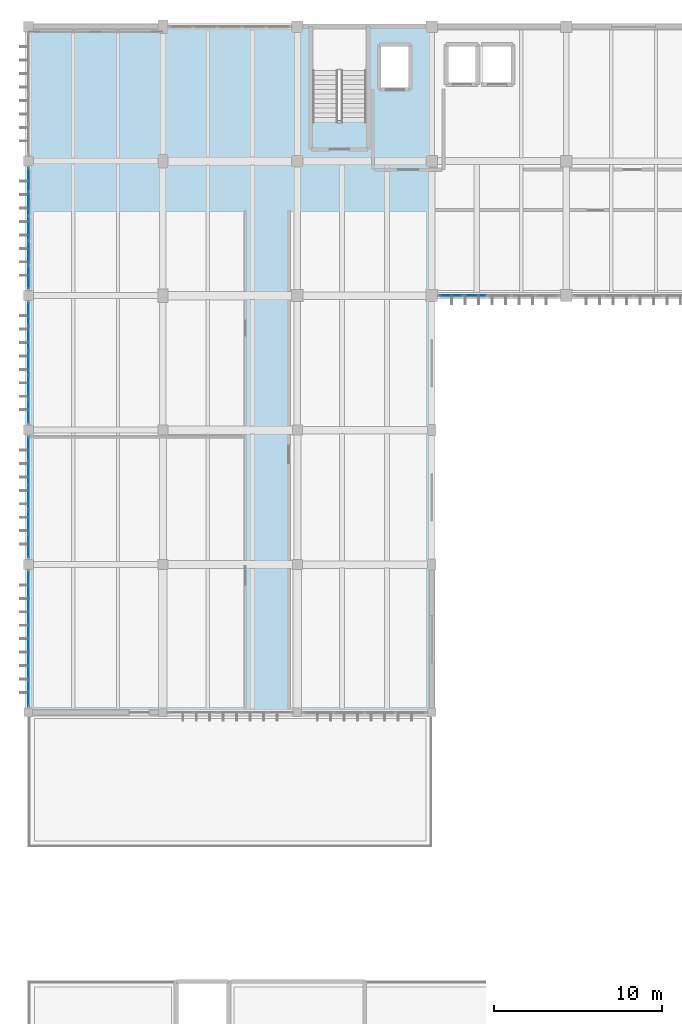
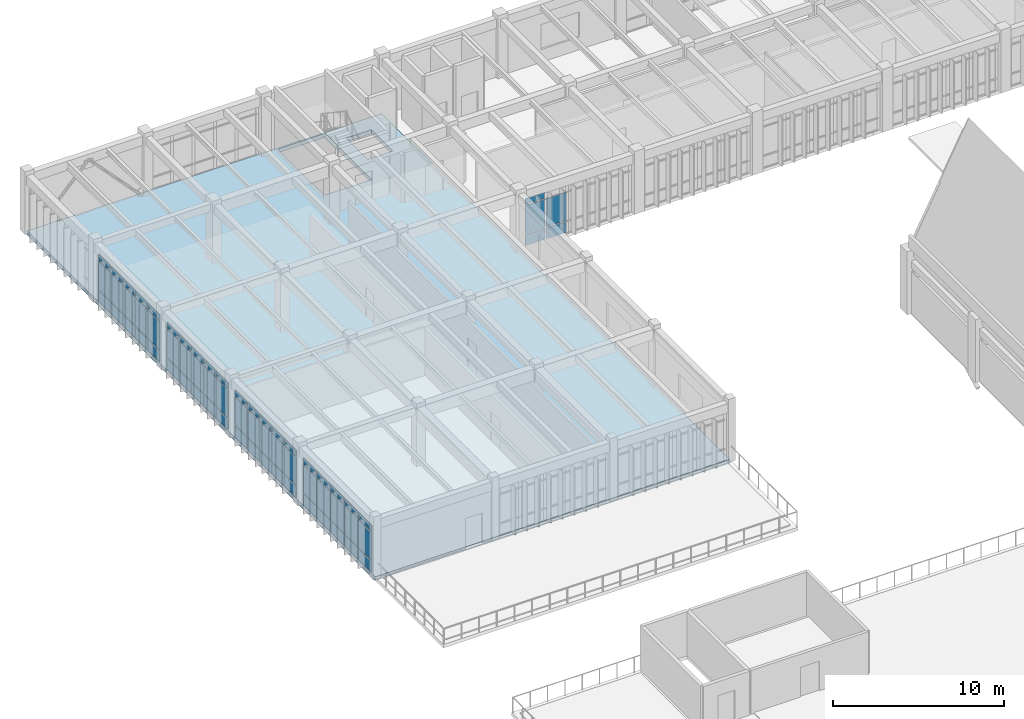
# One storey, part 33 of 72: 65 plates, 1 slab, 5 elements without a shape of their own.
"""IFC4 building model written with IfcOpenShell, lengths in metres."""

from ifc_helpers import new_model, si_unit, direction, frame, origin, origin_2d, place, context, subcontext, project, spatial, polyline, rectangle, outline, extrude, material, layer, layer_set, type_object, element, aggregate, save


model = new_model("IFC4")

# Units and contexts
model_context = context("Model", 3, precision=1e-05, world=origin(), true_north=direction((0.0, 1.0)))
body_context = subcontext(model_context, "Body", "Model", "MODEL_VIEW")
ifc_project = project(units=[si_unit("LENGTHUNIT", "METRE"), si_unit("AREAUNIT", "SQUARE_METRE"), si_unit("VOLUMEUNIT", "CUBIC_METRE"), si_unit("PLANEANGLEUNIT", "RADIAN"), si_unit("MASSUNIT", "GRAM", prefix="KILO")], contexts=[model_context])

# Site, building, storey
site_placement = place(None, origin())
site = spatial("IfcSite", under=ifc_project, at=site_placement, CompositionType="ELEMENT")
building_placement = place(site_placement, origin())
building = spatial("IfcBuilding", under=site, at=building_placement, Name="Tlaxcora Railside Police Headquarters", CompositionType="ELEMENT")
storey_placement = place(building_placement, frame((0.0, 0.0, 13.5)))
storey = spatial("IfcBuildingStorey", under=building, at=storey_placement, Name="L03", CompositionType="ELEMENT", Elevation=13.5)

# Curtain wall, plates
ifc_material_1 = material(Name="Thermally broken low-E insulated glazing", Category="glass")
curtain_wall_type_1 = type_object("IfcCurtainWallType", Name="Unitised Curtain Wall Assembly CW-23", PredefinedType="NOTDEFINED", material=ifc_material_1)
curtain_wall_1_placement = place(storey_placement, origin())
curtain_wall_1 = element("IfcCurtainWall", 1, at=curtain_wall_1_placement, inside=storey, type_object=curtain_wall_type_1, Name="V5 L03 curtain wall 72", PredefinedType="NOTDEFINED")
ifc_layer_1 = layer(ifc_material_1, 0.0400390625, Name="Thermally broken low-E insulated glazing")
ifc_layer_set_1 = layer_set([ifc_layer_1], Name="Thermally broken low-E insulated glazing")
plate_type_1 = type_object("IfcPlateType", Name="Curtain Wall Infill Panel CW-17", PredefinedType="CURTAIN_PANEL", material=ifc_layer_set_1)
plate_1_placement = place(storey_placement, frame((30.340087890625, 76.800048828125, 0.080078125), z_axis=(0.0, 0.0, 1.0), x_axis=(1.0, 0.0, 0.0)))
plate_1 = element("IfcPlate", 2, at=plate_1_placement, type_object=plate_type_1, Name="CW panel 1.1", PredefinedType="CURTAIN_PANEL", context=body_context, shape_type="SweptSolid", body=[
    extrude(rectangle(XDim=1.320068359375, YDim=0.0400390625, at=origin_2d()), origin(), (0.0, 0.0, 1.0), 0.780029296875),
])
plate_2_placement = place(storey_placement, frame((30.340087890625, 76.800048828125, 0.93994140625), z_axis=(0.0, 0.0, 1.0), x_axis=(1.0, 0.0, 0.0)))
plate_2 = element("IfcPlate", 3, at=plate_2_placement, type_object=plate_type_1, Name="CW panel 1.2", PredefinedType="CURTAIN_PANEL", context=body_context, shape_type="SweptSolid", body=[
    extrude(rectangle(XDim=1.320068359375, YDim=0.0400390625, at=origin_2d()), origin(), (0.0, 0.0, 1.0), 2.010009765625),
])
plate_3_placement = place(storey_placement, frame((30.340087890625, 76.800048828125, 3.0302734375), z_axis=(0.0, 0.0, 1.0), x_axis=(1.0, 0.0, 0.0)))
plate_3 = element("IfcPlate", 4, at=plate_3_placement, type_object=plate_type_1, Name="CW panel 1.3", PredefinedType="CURTAIN_PANEL", context=body_context, shape_type="SweptSolid", body=[
    extrude(rectangle(XDim=1.320068359375, YDim=0.0400390625, at=origin_2d()), origin(), (0.0, 0.0, 1.0), 0.409912109375),
])
plate_4_placement = place(storey_placement, frame((31.760009765625, 76.800048828125, 0.080078125), z_axis=(0.0, 0.0, 1.0), x_axis=(1.0, 0.0, 0.0)))
plate_4 = element("IfcPlate", 5, at=plate_4_placement, type_object=plate_type_1, Name="CW panel 2.1", PredefinedType="CURTAIN_PANEL", context=body_context, shape_type="SweptSolid", body=[
    extrude(rectangle(XDim=1.360107421875, YDim=0.0400390625, at=origin_2d()), origin(), (0.0, 0.0, 1.0), 0.780029296875),
])
plate_5_placement = place(storey_placement, frame((31.760009765625, 76.800048828125, 0.93994140625), z_axis=(0.0, 0.0, 1.0), x_axis=(1.0, 0.0, 0.0)))
plate_5 = element("IfcPlate", 6, at=plate_5_placement, type_object=plate_type_1, Name="CW panel 2.2", PredefinedType="CURTAIN_PANEL", context=body_context, shape_type="SweptSolid", body=[
    extrude(rectangle(XDim=1.360107421875, YDim=0.0400390625, at=origin_2d()), origin(), (0.0, 0.0, 1.0), 2.010009765625),
])
aggregate(curtain_wall_1, [plate_1, plate_2, plate_3, plate_4, plate_5])

curtain_wall_2_placement = place(storey_placement, origin())
curtain_wall_2 = element("IfcCurtainWall", 7, at=curtain_wall_2_placement, inside=storey, type_object=curtain_wall_type_1, Name="V5 L03 curtain wall 84", PredefinedType="NOTDEFINED")
plate_6_placement = place(storey_placement, frame((5.199951171875, 83.699951171875, 0.080078125), z_axis=(0.0, 0.0, 1.0), x_axis=(0.0, -1.0, 0.0)))
plate_6 = element("IfcPlate", 8, at=plate_6_placement, type_object=plate_type_1, Name="CW panel 1.1", PredefinedType="CURTAIN_PANEL", context=body_context, shape_type="SweptSolid", body=[
    extrude(rectangle(XDim=1.340087890625, YDim=0.0400390625, at=origin_2d()), origin(), (0.0, 0.0, 1.0), 0.780029296875),
])
plate_7_placement = place(storey_placement, frame((5.199951171875, 83.699951171875, 0.93994140625), z_axis=(0.0, 0.0, 1.0), x_axis=(0.0, -1.0, 0.0)))
plate_7 = element("IfcPlate", 9, at=plate_7_placement, type_object=plate_type_1, Name="CW panel 1.2", PredefinedType="CURTAIN_PANEL", context=body_context, shape_type="SweptSolid", body=[
    extrude(rectangle(XDim=1.340087890625, YDim=0.0400390625, at=origin_2d()), origin(), (0.0, 0.0, 1.0), 2.010009765625),
])
plate_8_placement = place(storey_placement, frame((5.199951171875, 83.699951171875, 3.0302734375), z_axis=(0.0, 0.0, 1.0), x_axis=(0.0, -1.0, 0.0)))
plate_8 = element("IfcPlate", 10, at=plate_8_placement, type_object=plate_type_1, Name="CW panel 1.3", PredefinedType="CURTAIN_PANEL", context=body_context, shape_type="SweptSolid", body=[
    extrude(rectangle(XDim=1.340087890625, YDim=0.0400390625, at=origin_2d()), origin(), (0.0, 0.0, 1.0), 0.409912109375),
])
plate_9_placement = place(storey_placement, frame((5.199951171875, 82.260009765625, 0.080078125), z_axis=(0.0, 0.0, 1.0), x_axis=(0.0, -1.0, 0.0)))
plate_9 = element("IfcPlate", 11, at=plate_9_placement, type_object=plate_type_1, Name="CW panel 2.1", PredefinedType="CURTAIN_PANEL", context=body_context, shape_type="SweptSolid", body=[
    extrude(rectangle(XDim=1.3798828125, YDim=0.0400390625, at=origin_2d()), origin(), (0.0, 0.0, 1.0), 0.780029296875),
])
plate_10_placement = place(storey_placement, frame((5.199951171875, 82.260009765625, 0.93994140625), z_axis=(0.0, 0.0, 1.0), x_axis=(0.0, -1.0, 0.0)))
plate_10 = element("IfcPlate", 12, at=plate_10_placement, type_object=plate_type_1, Name="CW panel 2.2", PredefinedType="CURTAIN_PANEL", context=body_context, shape_type="SweptSolid", body=[
    extrude(rectangle(XDim=1.3798828125, YDim=0.0400390625, at=origin_2d()), origin(), (0.0, 0.0, 1.0), 2.010009765625),
])
plate_11_placement = place(storey_placement, frame((5.199951171875, 82.260009765625, 3.0302734375), z_axis=(0.0, 0.0, 1.0), x_axis=(0.0, -1.0, 0.0)))
plate_11 = element("IfcPlate", 13, at=plate_11_placement, type_object=plate_type_1, Name="CW panel 2.3", PredefinedType="CURTAIN_PANEL", context=body_context, shape_type="SweptSolid", body=[
    extrude(rectangle(XDim=1.3798828125, YDim=0.0400390625, at=origin_2d()), origin(), (0.0, 0.0, 1.0), 0.409912109375),
])
plate_12_placement = place(storey_placement, frame((5.199951171875, 80.800048828125, 0.080078125), z_axis=(0.0, 0.0, 1.0), x_axis=(0.0, -1.0, 0.0)))
plate_12 = element("IfcPlate", 14, at=plate_12_placement, type_object=plate_type_1, Name="CW panel 3.1", PredefinedType="CURTAIN_PANEL", context=body_context, shape_type="SweptSolid", body=[
    extrude(rectangle(XDim=1.3798828125, YDim=0.0400390625, at=origin_2d()), origin(), (0.0, 0.0, 1.0), 0.780029296875),
])
plate_13_placement = place(storey_placement, frame((5.199951171875, 80.800048828125, 0.93994140625), z_axis=(0.0, 0.0, 1.0), x_axis=(0.0, -1.0, 0.0)))
plate_13 = element("IfcPlate", 15, at=plate_13_placement, type_object=plate_type_1, Name="CW panel 3.2", PredefinedType="CURTAIN_PANEL", context=body_context, shape_type="SweptSolid", body=[
    extrude(rectangle(XDim=1.3798828125, YDim=0.0400390625, at=origin_2d()), origin(), (0.0, 0.0, 1.0), 2.010009765625),
])
plate_14_placement = place(storey_placement, frame((5.199951171875, 80.800048828125, 3.0302734375), z_axis=(0.0, 0.0, 1.0), x_axis=(0.0, -1.0, 0.0)))
plate_14 = element("IfcPlate", 16, at=plate_14_placement, type_object=plate_type_1, Name="CW panel 3.3", PredefinedType="CURTAIN_PANEL", context=body_context, shape_type="SweptSolid", body=[
    extrude(rectangle(XDim=1.3798828125, YDim=0.0400390625, at=origin_2d()), origin(), (0.0, 0.0, 1.0), 0.409912109375),
])
plate_15_placement = place(storey_placement, frame((5.199951171875, 79.340087890625, 0.080078125), z_axis=(0.0, 0.0, 1.0), x_axis=(0.0, -1.0, 0.0)))
plate_15 = element("IfcPlate", 17, at=plate_15_placement, type_object=plate_type_1, Name="CW panel 4.1", PredefinedType="CURTAIN_PANEL", context=body_context, shape_type="SweptSolid", body=[
    extrude(rectangle(XDim=1.3798828125, YDim=0.0400390625, at=origin_2d()), origin(), (0.0, 0.0, 1.0), 0.780029296875),
])
plate_16_placement = place(storey_placement, frame((5.199951171875, 79.340087890625, 0.93994140625), z_axis=(0.0, 0.0, 1.0), x_axis=(0.0, -1.0, 0.0)))
plate_16 = element("IfcPlate", 18, at=plate_16_placement, type_object=plate_type_1, Name="CW panel 4.2", PredefinedType="CURTAIN_PANEL", context=body_context, shape_type="SweptSolid", body=[
    extrude(rectangle(XDim=1.3798828125, YDim=0.0400390625, at=origin_2d()), origin(), (0.0, 0.0, 1.0), 2.010009765625),
])
plate_17_placement = place(storey_placement, frame((5.199951171875, 79.340087890625, 3.0302734375), z_axis=(0.0, 0.0, 1.0), x_axis=(0.0, -1.0, 0.0)))
plate_17 = element("IfcPlate", 19, at=plate_17_placement, type_object=plate_type_1, Name="CW panel 4.3", PredefinedType="CURTAIN_PANEL", context=body_context, shape_type="SweptSolid", body=[
    extrude(rectangle(XDim=1.3798828125, YDim=0.0400390625, at=origin_2d()), origin(), (0.0, 0.0, 1.0), 0.409912109375),
])
plate_18_placement = place(storey_placement, frame((5.199951171875, 77.89990234375, 0.080078125), z_axis=(0.0, 0.0, 1.0), x_axis=(0.0, -1.0, 0.0)))
plate_18 = element("IfcPlate", 20, at=plate_18_placement, type_object=plate_type_1, Name="CW panel 5.1", PredefinedType="CURTAIN_PANEL", context=body_context, shape_type="SweptSolid", body=[
    extrude(rectangle(XDim=1.340087890625, YDim=0.0400390625, at=origin_2d()), origin(), (0.0, 0.0, 1.0), 0.780029296875),
])
plate_19_placement = place(storey_placement, frame((5.199951171875, 77.89990234375, 0.93994140625), z_axis=(0.0, 0.0, 1.0), x_axis=(0.0, -1.0, 0.0)))
plate_19 = element("IfcPlate", 21, at=plate_19_placement, type_object=plate_type_1, Name="CW panel 5.2", PredefinedType="CURTAIN_PANEL", context=body_context, shape_type="SweptSolid", body=[
    extrude(rectangle(XDim=1.340087890625, YDim=0.0400390625, at=origin_2d()), origin(), (0.0, 0.0, 1.0), 2.010009765625),
])
plate_20_placement = place(storey_placement, frame((5.199951171875, 77.89990234375, 3.0302734375), z_axis=(0.0, 0.0, 1.0), x_axis=(0.0, -1.0, 0.0)))
plate_20 = element("IfcPlate", 22, at=plate_20_placement, type_object=plate_type_1, Name="CW panel 5.3", PredefinedType="CURTAIN_PANEL", context=body_context, shape_type="SweptSolid", body=[
    extrude(rectangle(XDim=1.340087890625, YDim=0.0400390625, at=origin_2d()), origin(), (0.0, 0.0, 1.0), 0.409912109375),
])
aggregate(curtain_wall_2, [plate_6, plate_7, plate_8, plate_9, plate_10, plate_11, plate_12, plate_13, plate_14, plate_15, plate_16, plate_17, plate_18, plate_19, plate_20])

curtain_wall_type_2 = type_object("IfcCurtainWallType", Name="Unitised Curtain Wall Assembly CW-15", PredefinedType="NOTDEFINED", material=ifc_material_1)
curtain_wall_3_placement = place(storey_placement, origin())
curtain_wall_3 = element("IfcCurtainWall", 23, at=curtain_wall_3_placement, inside=storey, type_object=curtain_wall_type_2, Name="V5 L03 curtain wall 86", PredefinedType="NOTDEFINED")
ifc_layer_2 = layer(ifc_material_1, 0.031982421875, Name="Thermally broken low-E insulated glazing")
ifc_layer_set_2 = layer_set([ifc_layer_2], Name="Thermally broken low-E insulated glazing")
plate_type_2 = type_object("IfcPlateType", Name="Curtain Wall Infill Panel CW-41", PredefinedType="CURTAIN_PANEL", material=ifc_layer_set_2)
plate_21_placement = place(storey_placement, frame((5.199951171875, 67.701171875, 0.074951171875), z_axis=(0.0, 0.0, 1.0), x_axis=(0.0, -1.0, 0.0)))
plate_21 = element("IfcPlate", 24, at=plate_21_placement, type_object=plate_type_2, Name="CW panel 1.1", PredefinedType="CURTAIN_PANEL", context=body_context, shape_type="SweptSolid", body=[
    extrude(rectangle(XDim=1.347412109375, YDim=0.031982421875, at=origin_2d()), origin(), (0.0, 0.0, 1.0), 0.78759765625),
])
plate_22_placement = place(storey_placement, frame((5.199951171875, 67.701171875, 0.9375), z_axis=(0.0, 0.0, 1.0), x_axis=(0.0, -1.0, 0.0)))
plate_22 = element("IfcPlate", 25, at=plate_22_placement, type_object=plate_type_2, Name="CW panel 1.2", PredefinedType="CURTAIN_PANEL", context=body_context, shape_type="SweptSolid", body=[
    extrude(rectangle(XDim=1.347412109375, YDim=0.031982421875, at=origin_2d()), origin(), (0.0, 0.0, 1.0), 2.014892578125),
])
plate_23_placement = place(storey_placement, frame((5.199951171875, 67.701171875, 3.027587890625), z_axis=(0.0, 0.0, 1.0), x_axis=(0.0, -1.0, 0.0)))
plate_23 = element("IfcPlate", 26, at=plate_23_placement, type_object=plate_type_2, Name="CW panel 1.3", PredefinedType="CURTAIN_PANEL", context=body_context, shape_type="SweptSolid", body=[
    extrude(rectangle(XDim=1.347412109375, YDim=0.031982421875, at=origin_2d()), origin(), (0.0, 0.0, 1.0), 0.41748046875),
])
plate_24_placement = place(storey_placement, frame((5.199951171875, 66.260009765625, 0.074951171875), z_axis=(0.0, 0.0, 1.0), x_axis=(0.0, -1.0, 0.0)))
plate_24 = element("IfcPlate", 27, at=plate_24_placement, type_object=plate_type_2, Name="CW panel 2.1", PredefinedType="CURTAIN_PANEL", context=body_context, shape_type="SweptSolid", body=[
    extrude(rectangle(XDim=1.385009765625, YDim=0.031982421875, at=origin_2d()), origin(), (0.0, 0.0, 1.0), 0.78759765625),
])
plate_25_placement = place(storey_placement, frame((5.199951171875, 66.260009765625, 0.9375), z_axis=(0.0, 0.0, 1.0), x_axis=(0.0, -1.0, 0.0)))
plate_25 = element("IfcPlate", 28, at=plate_25_placement, type_object=plate_type_2, Name="CW panel 2.2", PredefinedType="CURTAIN_PANEL", context=body_context, shape_type="SweptSolid", body=[
    extrude(rectangle(XDim=1.385009765625, YDim=0.031982421875, at=origin_2d()), origin(), (0.0, 0.0, 1.0), 2.014892578125),
])
plate_26_placement = place(storey_placement, frame((5.199951171875, 66.260009765625, 3.027587890625), z_axis=(0.0, 0.0, 1.0), x_axis=(0.0, -1.0, 0.0)))
plate_26 = element("IfcPlate", 29, at=plate_26_placement, type_object=plate_type_2, Name="CW panel 2.3", PredefinedType="CURTAIN_PANEL", context=body_context, shape_type="SweptSolid", body=[
    extrude(rectangle(XDim=1.385009765625, YDim=0.031982421875, at=origin_2d()), origin(), (0.0, 0.0, 1.0), 0.41748046875),
])
plate_27_placement = place(storey_placement, frame((5.199951171875, 64.800048828125, 0.074951171875), z_axis=(0.0, 0.0, 1.0), x_axis=(0.0, -1.0, 0.0)))
plate_27 = element("IfcPlate", 30, at=plate_27_placement, type_object=plate_type_2, Name="CW panel 3.1", PredefinedType="CURTAIN_PANEL", context=body_context, shape_type="SweptSolid", body=[
    extrude(rectangle(XDim=1.385009765625, YDim=0.031982421875, at=origin_2d()), origin(), (0.0, 0.0, 1.0), 0.78759765625),
])
plate_28_placement = place(storey_placement, frame((5.199951171875, 64.800048828125, 0.9375), z_axis=(0.0, 0.0, 1.0), x_axis=(0.0, -1.0, 0.0)))
plate_28 = element("IfcPlate", 31, at=plate_28_placement, type_object=plate_type_2, Name="CW panel 3.2", PredefinedType="CURTAIN_PANEL", context=body_context, shape_type="SweptSolid", body=[
    extrude(rectangle(XDim=1.385009765625, YDim=0.031982421875, at=origin_2d()), origin(), (0.0, 0.0, 1.0), 2.014892578125),
])
plate_29_placement = place(storey_placement, frame((5.199951171875, 64.800048828125, 3.027587890625), z_axis=(0.0, 0.0, 1.0), x_axis=(0.0, -1.0, 0.0)))
plate_29 = element("IfcPlate", 32, at=plate_29_placement, type_object=plate_type_2, Name="CW panel 3.3", PredefinedType="CURTAIN_PANEL", context=body_context, shape_type="SweptSolid", body=[
    extrude(rectangle(XDim=1.385009765625, YDim=0.031982421875, at=origin_2d()), origin(), (0.0, 0.0, 1.0), 0.41748046875),
])
plate_30_placement = place(storey_placement, frame((5.199951171875, 63.340087890625, 0.074951171875), z_axis=(0.0, 0.0, 1.0), x_axis=(0.0, -1.0, 0.0)))
plate_30 = element("IfcPlate", 33, at=plate_30_placement, type_object=plate_type_2, Name="CW panel 4.1", PredefinedType="CURTAIN_PANEL", context=body_context, shape_type="SweptSolid", body=[
    extrude(rectangle(XDim=1.385009765625, YDim=0.031982421875, at=origin_2d()), origin(), (0.0, 0.0, 1.0), 0.78759765625),
])
plate_31_placement = place(storey_placement, frame((5.199951171875, 63.340087890625, 0.9375), z_axis=(0.0, 0.0, 1.0), x_axis=(0.0, -1.0, 0.0)))
plate_31 = element("IfcPlate", 34, at=plate_31_placement, type_object=plate_type_2, Name="CW panel 4.2", PredefinedType="CURTAIN_PANEL", context=body_context, shape_type="SweptSolid", body=[
    extrude(rectangle(XDim=1.385009765625, YDim=0.031982421875, at=origin_2d()), origin(), (0.0, 0.0, 1.0), 2.014892578125),
])
plate_32_placement = place(storey_placement, frame((5.199951171875, 63.340087890625, 3.027587890625), z_axis=(0.0, 0.0, 1.0), x_axis=(0.0, -1.0, 0.0)))
plate_32 = element("IfcPlate", 35, at=plate_32_placement, type_object=plate_type_2, Name="CW panel 4.3", PredefinedType="CURTAIN_PANEL", context=body_context, shape_type="SweptSolid", body=[
    extrude(rectangle(XDim=1.385009765625, YDim=0.031982421875, at=origin_2d()), origin(), (0.0, 0.0, 1.0), 0.41748046875),
])
plate_33_placement = place(storey_placement, frame((5.199951171875, 61.898681640625, 0.074951171875), z_axis=(0.0, 0.0, 1.0), x_axis=(0.0, -1.0, 0.0)))
plate_33 = element("IfcPlate", 36, at=plate_33_placement, type_object=plate_type_2, Name="CW panel 5.1", PredefinedType="CURTAIN_PANEL", context=body_context, shape_type="SweptSolid", body=[
    extrude(rectangle(XDim=1.347412109375, YDim=0.031982421875, at=origin_2d()), origin(), (0.0, 0.0, 1.0), 0.78759765625),
])
plate_34_placement = place(storey_placement, frame((5.199951171875, 61.898681640625, 0.9375), z_axis=(0.0, 0.0, 1.0), x_axis=(0.0, -1.0, 0.0)))
plate_34 = element("IfcPlate", 37, at=plate_34_placement, type_object=plate_type_2, Name="CW panel 5.2", PredefinedType="CURTAIN_PANEL", context=body_context, shape_type="SweptSolid", body=[
    extrude(rectangle(XDim=1.347412109375, YDim=0.031982421875, at=origin_2d()), origin(), (0.0, 0.0, 1.0), 2.014892578125),
])
plate_35_placement = place(storey_placement, frame((5.199951171875, 61.898681640625, 3.027587890625), z_axis=(0.0, 0.0, 1.0), x_axis=(0.0, -1.0, 0.0)))
plate_35 = element("IfcPlate", 38, at=plate_35_placement, type_object=plate_type_2, Name="CW panel 5.3", PredefinedType="CURTAIN_PANEL", context=body_context, shape_type="SweptSolid", body=[
    extrude(rectangle(XDim=1.347412109375, YDim=0.031982421875, at=origin_2d()), origin(), (0.0, 0.0, 1.0), 0.41748046875),
])
aggregate(curtain_wall_3, [plate_21, plate_22, plate_23, plate_24, plate_25, plate_26, plate_27, plate_28, plate_29, plate_30, plate_31, plate_32, plate_33, plate_34, plate_35])

curtain_wall_type_3 = type_object("IfcCurtainWallType", Name="Unitised Curtain Wall Assembly CW-83", PredefinedType="NOTDEFINED", material=ifc_material_1)
curtain_wall_4_placement = place(storey_placement, origin())
curtain_wall_4 = element("IfcCurtainWall", 39, at=curtain_wall_4_placement, inside=storey, type_object=curtain_wall_type_3, Name="V5 L03 curtain wall 87", PredefinedType="NOTDEFINED")
ifc_layer_3 = layer(ifc_material_1, 0.035888671875, Name="Thermally broken low-E insulated glazing")
ifc_layer_set_3 = layer_set([ifc_layer_3], Name="Thermally broken low-E insulated glazing")
plate_type_3 = type_object("IfcPlateType", Name="Curtain Wall Infill Panel CW-72", PredefinedType="CURTAIN_PANEL", material=ifc_layer_set_3)
plate_36_placement = place(storey_placement, frame((5.199951171875, 59.614990234375, 0.080078125), z_axis=(0.0, 0.0, 1.0), x_axis=(0.0, -1.0, 0.0)))
plate_36 = element("IfcPlate", 40, at=plate_36_placement, type_object=plate_type_3, Name="CW panel 1.1", PredefinedType="CURTAIN_PANEL", context=body_context, shape_type="SweptSolid", body=[
    extrude(rectangle(XDim=1.510009765625, YDim=0.035888671875, at=origin_2d()), origin(), (0.0, 0.0, 1.0), 0.780029296875),
])
plate_37_placement = place(storey_placement, frame((5.199951171875, 59.614990234375, 0.93994140625), z_axis=(0.0, 0.0, 1.0), x_axis=(0.0, -1.0, 0.0)))
plate_37 = element("IfcPlate", 41, at=plate_37_placement, type_object=plate_type_3, Name="CW panel 1.2", PredefinedType="CURTAIN_PANEL", context=body_context, shape_type="SweptSolid", body=[
    extrude(rectangle(XDim=1.510009765625, YDim=0.035888671875, at=origin_2d()), origin(), (0.0, 0.0, 1.0), 2.010009765625),
])
plate_38_placement = place(storey_placement, frame((5.199951171875, 59.614990234375, 3.0302734375), z_axis=(0.0, 0.0, 1.0), x_axis=(0.0, -1.0, 0.0)))
plate_38 = element("IfcPlate", 42, at=plate_38_placement, type_object=plate_type_3, Name="CW panel 1.3", PredefinedType="CURTAIN_PANEL", context=body_context, shape_type="SweptSolid", body=[
    extrude(rectangle(XDim=1.510009765625, YDim=0.035888671875, at=origin_2d()), origin(), (0.0, 0.0, 1.0), 0.409912109375),
])
plate_39_placement = place(storey_placement, frame((5.199951171875, 58.0048828125, 0.080078125), z_axis=(0.0, 0.0, 1.0), x_axis=(0.0, -1.0, 0.0)))
plate_39 = element("IfcPlate", 43, at=plate_39_placement, type_object=plate_type_3, Name="CW panel 2.1", PredefinedType="CURTAIN_PANEL", context=body_context, shape_type="SweptSolid", body=[
    extrude(rectangle(XDim=1.550048828125, YDim=0.035888671875, at=origin_2d()), origin(), (0.0, 0.0, 1.0), 0.780029296875),
])
plate_40_placement = place(storey_placement, frame((5.199951171875, 58.0048828125, 0.93994140625), z_axis=(0.0, 0.0, 1.0), x_axis=(0.0, -1.0, 0.0)))
plate_40 = element("IfcPlate", 44, at=plate_40_placement, type_object=plate_type_3, Name="CW panel 2.2", PredefinedType="CURTAIN_PANEL", context=body_context, shape_type="SweptSolid", body=[
    extrude(rectangle(XDim=1.550048828125, YDim=0.035888671875, at=origin_2d()), origin(), (0.0, 0.0, 1.0), 2.010009765625),
])
plate_41_placement = place(storey_placement, frame((5.199951171875, 58.0048828125, 3.0302734375), z_axis=(0.0, 0.0, 1.0), x_axis=(0.0, -1.0, 0.0)))
plate_41 = element("IfcPlate", 45, at=plate_41_placement, type_object=plate_type_3, Name="CW panel 2.3", PredefinedType="CURTAIN_PANEL", context=body_context, shape_type="SweptSolid", body=[
    extrude(rectangle(XDim=1.550048828125, YDim=0.035888671875, at=origin_2d()), origin(), (0.0, 0.0, 1.0), 0.409912109375),
])
plate_42_placement = place(storey_placement, frame((5.199951171875, 56.375, 0.080078125), z_axis=(0.0, 0.0, 1.0), x_axis=(0.0, -1.0, 0.0)))
plate_42 = element("IfcPlate", 46, at=plate_42_placement, type_object=plate_type_3, Name="CW panel 3.1", PredefinedType="CURTAIN_PANEL", context=body_context, shape_type="SweptSolid", body=[
    extrude(rectangle(XDim=1.550048828125, YDim=0.035888671875, at=origin_2d()), origin(), (0.0, 0.0, 1.0), 0.780029296875),
])
plate_43_placement = place(storey_placement, frame((5.199951171875, 56.375, 0.93994140625), z_axis=(0.0, 0.0, 1.0), x_axis=(0.0, -1.0, 0.0)))
plate_43 = element("IfcPlate", 47, at=plate_43_placement, type_object=plate_type_3, Name="CW panel 3.2", PredefinedType="CURTAIN_PANEL", context=body_context, shape_type="SweptSolid", body=[
    extrude(rectangle(XDim=1.550048828125, YDim=0.035888671875, at=origin_2d()), origin(), (0.0, 0.0, 1.0), 2.010009765625),
])
plate_44_placement = place(storey_placement, frame((5.199951171875, 56.375, 3.0302734375), z_axis=(0.0, 0.0, 1.0), x_axis=(0.0, -1.0, 0.0)))
plate_44 = element("IfcPlate", 48, at=plate_44_placement, type_object=plate_type_3, Name="CW panel 3.3", PredefinedType="CURTAIN_PANEL", context=body_context, shape_type="SweptSolid", body=[
    extrude(rectangle(XDim=1.550048828125, YDim=0.035888671875, at=origin_2d()), origin(), (0.0, 0.0, 1.0), 0.409912109375),
])
plate_45_placement = place(storey_placement, frame((5.199951171875, 54.7451171875, 0.080078125), z_axis=(0.0, 0.0, 1.0), x_axis=(0.0, -1.0, 0.0)))
plate_45 = element("IfcPlate", 49, at=plate_45_placement, type_object=plate_type_3, Name="CW panel 4.1", PredefinedType="CURTAIN_PANEL", context=body_context, shape_type="SweptSolid", body=[
    extrude(rectangle(XDim=1.550048828125, YDim=0.035888671875, at=origin_2d()), origin(), (0.0, 0.0, 1.0), 0.780029296875),
])
plate_46_placement = place(storey_placement, frame((5.199951171875, 54.7451171875, 0.93994140625), z_axis=(0.0, 0.0, 1.0), x_axis=(0.0, -1.0, 0.0)))
plate_46 = element("IfcPlate", 50, at=plate_46_placement, type_object=plate_type_3, Name="CW panel 4.2", PredefinedType="CURTAIN_PANEL", context=body_context, shape_type="SweptSolid", body=[
    extrude(rectangle(XDim=1.550048828125, YDim=0.035888671875, at=origin_2d()), origin(), (0.0, 0.0, 1.0), 2.010009765625),
])
plate_47_placement = place(storey_placement, frame((5.199951171875, 54.7451171875, 3.0302734375), z_axis=(0.0, 0.0, 1.0), x_axis=(0.0, -1.0, 0.0)))
plate_47 = element("IfcPlate", 51, at=plate_47_placement, type_object=plate_type_3, Name="CW panel 4.3", PredefinedType="CURTAIN_PANEL", context=body_context, shape_type="SweptSolid", body=[
    extrude(rectangle(XDim=1.550048828125, YDim=0.035888671875, at=origin_2d()), origin(), (0.0, 0.0, 1.0), 0.409912109375),
])
plate_48_placement = place(storey_placement, frame((5.199951171875, 53.135009765625, 0.080078125), z_axis=(0.0, 0.0, 1.0), x_axis=(0.0, -1.0, 0.0)))
plate_48 = element("IfcPlate", 52, at=plate_48_placement, type_object=plate_type_3, Name="CW panel 5.1", PredefinedType="CURTAIN_PANEL", context=body_context, shape_type="SweptSolid", body=[
    extrude(rectangle(XDim=1.510009765625, YDim=0.035888671875, at=origin_2d()), origin(), (0.0, 0.0, 1.0), 0.780029296875),
])
plate_49_placement = place(storey_placement, frame((5.199951171875, 53.135009765625, 0.93994140625), z_axis=(0.0, 0.0, 1.0), x_axis=(0.0, -1.0, 0.0)))
plate_49 = element("IfcPlate", 53, at=plate_49_placement, type_object=plate_type_3, Name="CW panel 5.2", PredefinedType="CURTAIN_PANEL", context=body_context, shape_type="SweptSolid", body=[
    extrude(rectangle(XDim=1.510009765625, YDim=0.035888671875, at=origin_2d()), origin(), (0.0, 0.0, 1.0), 2.010009765625),
])
plate_50_placement = place(storey_placement, frame((5.199951171875, 53.135009765625, 3.0302734375), z_axis=(0.0, 0.0, 1.0), x_axis=(0.0, -1.0, 0.0)))
plate_50 = element("IfcPlate", 54, at=plate_50_placement, type_object=plate_type_3, Name="CW panel 5.3", PredefinedType="CURTAIN_PANEL", context=body_context, shape_type="SweptSolid", body=[
    extrude(rectangle(XDim=1.510009765625, YDim=0.035888671875, at=origin_2d()), origin(), (0.0, 0.0, 1.0), 0.409912109375),
])
aggregate(curtain_wall_4, [plate_36, plate_37, plate_38, plate_39, plate_40, plate_41, plate_42, plate_43, plate_44, plate_45, plate_46, plate_47, plate_48, plate_49, plate_50])

curtain_wall_type_4 = type_object("IfcCurtainWallType", Name="Unitised Curtain Wall Assembly CW-38", PredefinedType="NOTDEFINED", material=ifc_material_1)
curtain_wall_5_placement = place(storey_placement, origin())
curtain_wall_5 = element("IfcCurtainWall", 55, at=curtain_wall_5_placement, inside=storey, type_object=curtain_wall_type_4, Name="V5 L03 curtain wall 85", PredefinedType="NOTDEFINED")
ifc_layer_4 = layer(ifc_material_1, 0.028076171875, Name="Thermally broken low-E insulated glazing")
ifc_layer_set_4 = layer_set([ifc_layer_4], Name="Thermally broken low-E insulated glazing")
plate_type_4 = type_object("IfcPlateType", Name="Curtain Wall Infill Panel CW-92", PredefinedType="CURTAIN_PANEL", material=ifc_layer_set_4)
plate_51_placement = place(storey_placement, frame((5.199951171875, 75.701171875, 0.074951171875), z_axis=(0.0, 0.0, 1.0), x_axis=(0.0, -1.0, 0.0)))
plate_51 = element("IfcPlate", 56, at=plate_51_placement, type_object=plate_type_4, Name="CW panel 1.1", PredefinedType="CURTAIN_PANEL", context=body_context, shape_type="SweptSolid", body=[
    extrude(rectangle(XDim=1.347412109375, YDim=0.028076171875, at=origin_2d()), origin(), (0.0, 0.0, 1.0), 0.78759765625),
])
plate_52_placement = place(storey_placement, frame((5.199951171875, 75.701171875, 0.9375), z_axis=(0.0, 0.0, 1.0), x_axis=(0.0, -1.0, 0.0)))
plate_52 = element("IfcPlate", 57, at=plate_52_placement, type_object=plate_type_4, Name="CW panel 1.2", PredefinedType="CURTAIN_PANEL", context=body_context, shape_type="SweptSolid", body=[
    extrude(rectangle(XDim=1.347412109375, YDim=0.028076171875, at=origin_2d()), origin(), (0.0, 0.0, 1.0), 2.014892578125),
])
plate_53_placement = place(storey_placement, frame((5.199951171875, 75.701171875, 3.027587890625), z_axis=(0.0, 0.0, 1.0), x_axis=(0.0, -1.0, 0.0)))
plate_53 = element("IfcPlate", 58, at=plate_53_placement, type_object=plate_type_4, Name="CW panel 1.3", PredefinedType="CURTAIN_PANEL", context=body_context, shape_type="SweptSolid", body=[
    extrude(rectangle(XDim=1.347412109375, YDim=0.028076171875, at=origin_2d()), origin(), (0.0, 0.0, 1.0), 0.41748046875),
])
plate_54_placement = place(storey_placement, frame((5.199951171875, 74.260009765625, 0.074951171875), z_axis=(0.0, 0.0, 1.0), x_axis=(0.0, -1.0, 0.0)))
plate_54 = element("IfcPlate", 59, at=plate_54_placement, type_object=plate_type_4, Name="CW panel 2.1", PredefinedType="CURTAIN_PANEL", context=body_context, shape_type="SweptSolid", body=[
    extrude(rectangle(XDim=1.385009765625, YDim=0.028076171875, at=origin_2d()), origin(), (0.0, 0.0, 1.0), 0.78759765625),
])
plate_55_placement = place(storey_placement, frame((5.199951171875, 74.260009765625, 0.9375), z_axis=(0.0, 0.0, 1.0), x_axis=(0.0, -1.0, 0.0)))
plate_55 = element("IfcPlate", 60, at=plate_55_placement, type_object=plate_type_4, Name="CW panel 2.2", PredefinedType="CURTAIN_PANEL", context=body_context, shape_type="SweptSolid", body=[
    extrude(rectangle(XDim=1.385009765625, YDim=0.028076171875, at=origin_2d()), origin(), (0.0, 0.0, 1.0), 2.014892578125),
])
plate_56_placement = place(storey_placement, frame((5.199951171875, 74.260009765625, 3.027587890625), z_axis=(0.0, 0.0, 1.0), x_axis=(0.0, -1.0, 0.0)))
plate_56 = element("IfcPlate", 61, at=plate_56_placement, type_object=plate_type_4, Name="CW panel 2.3", PredefinedType="CURTAIN_PANEL", context=body_context, shape_type="SweptSolid", body=[
    extrude(rectangle(XDim=1.385009765625, YDim=0.028076171875, at=origin_2d()), origin(), (0.0, 0.0, 1.0), 0.41748046875),
])
plate_57_placement = place(storey_placement, frame((5.199951171875, 72.800048828125, 0.074951171875), z_axis=(0.0, 0.0, 1.0), x_axis=(0.0, -1.0, 0.0)))
plate_57 = element("IfcPlate", 62, at=plate_57_placement, type_object=plate_type_4, Name="CW panel 3.1", PredefinedType="CURTAIN_PANEL", context=body_context, shape_type="SweptSolid", body=[
    extrude(rectangle(XDim=1.385009765625, YDim=0.028076171875, at=origin_2d()), origin(), (0.0, 0.0, 1.0), 0.78759765625),
])
plate_58_placement = place(storey_placement, frame((5.199951171875, 72.800048828125, 0.9375), z_axis=(0.0, 0.0, 1.0), x_axis=(0.0, -1.0, 0.0)))
plate_58 = element("IfcPlate", 63, at=plate_58_placement, type_object=plate_type_4, Name="CW panel 3.2", PredefinedType="CURTAIN_PANEL", context=body_context, shape_type="SweptSolid", body=[
    extrude(rectangle(XDim=1.385009765625, YDim=0.028076171875, at=origin_2d()), origin(), (0.0, 0.0, 1.0), 2.014892578125),
])
plate_59_placement = place(storey_placement, frame((5.199951171875, 72.800048828125, 3.027587890625), z_axis=(0.0, 0.0, 1.0), x_axis=(0.0, -1.0, 0.0)))
plate_59 = element("IfcPlate", 64, at=plate_59_placement, type_object=plate_type_4, Name="CW panel 3.3", PredefinedType="CURTAIN_PANEL", context=body_context, shape_type="SweptSolid", body=[
    extrude(rectangle(XDim=1.385009765625, YDim=0.028076171875, at=origin_2d()), origin(), (0.0, 0.0, 1.0), 0.41748046875),
])
plate_60_placement = place(storey_placement, frame((5.199951171875, 71.340087890625, 0.074951171875), z_axis=(0.0, 0.0, 1.0), x_axis=(0.0, -1.0, 0.0)))
plate_60 = element("IfcPlate", 65, at=plate_60_placement, type_object=plate_type_4, Name="CW panel 4.1", PredefinedType="CURTAIN_PANEL", context=body_context, shape_type="SweptSolid", body=[
    extrude(rectangle(XDim=1.385009765625, YDim=0.028076171875, at=origin_2d()), origin(), (0.0, 0.0, 1.0), 0.78759765625),
])
plate_61_placement = place(storey_placement, frame((5.199951171875, 71.340087890625, 0.9375), z_axis=(0.0, 0.0, 1.0), x_axis=(0.0, -1.0, 0.0)))
plate_61 = element("IfcPlate", 66, at=plate_61_placement, type_object=plate_type_4, Name="CW panel 4.2", PredefinedType="CURTAIN_PANEL", context=body_context, shape_type="SweptSolid", body=[
    extrude(rectangle(XDim=1.385009765625, YDim=0.028076171875, at=origin_2d()), origin(), (0.0, 0.0, 1.0), 2.014892578125),
])
plate_62_placement = place(storey_placement, frame((5.199951171875, 71.340087890625, 3.027587890625), z_axis=(0.0, 0.0, 1.0), x_axis=(0.0, -1.0, 0.0)))
plate_62 = element("IfcPlate", 67, at=plate_62_placement, type_object=plate_type_4, Name="CW panel 4.3", PredefinedType="CURTAIN_PANEL", context=body_context, shape_type="SweptSolid", body=[
    extrude(rectangle(XDim=1.385009765625, YDim=0.028076171875, at=origin_2d()), origin(), (0.0, 0.0, 1.0), 0.41748046875),
])
plate_63_placement = place(storey_placement, frame((5.199951171875, 69.898681640625, 0.074951171875), z_axis=(0.0, 0.0, 1.0), x_axis=(0.0, -1.0, 0.0)))
plate_63 = element("IfcPlate", 68, at=plate_63_placement, type_object=plate_type_4, Name="CW panel 5.1", PredefinedType="CURTAIN_PANEL", context=body_context, shape_type="SweptSolid", body=[
    extrude(rectangle(XDim=1.347412109375, YDim=0.028076171875, at=origin_2d()), origin(), (0.0, 0.0, 1.0), 0.78759765625),
])
plate_64_placement = place(storey_placement, frame((5.199951171875, 69.898681640625, 0.9375), z_axis=(0.0, 0.0, 1.0), x_axis=(0.0, -1.0, 0.0)))
plate_64 = element("IfcPlate", 69, at=plate_64_placement, type_object=plate_type_4, Name="CW panel 5.2", PredefinedType="CURTAIN_PANEL", context=body_context, shape_type="SweptSolid", body=[
    extrude(rectangle(XDim=1.347412109375, YDim=0.028076171875, at=origin_2d()), origin(), (0.0, 0.0, 1.0), 2.014892578125),
])
plate_65_placement = place(storey_placement, frame((5.199951171875, 69.898681640625, 3.027587890625), z_axis=(0.0, 0.0, 1.0), x_axis=(0.0, -1.0, 0.0)))
plate_65 = element("IfcPlate", 70, at=plate_65_placement, type_object=plate_type_4, Name="CW panel 5.3", PredefinedType="CURTAIN_PANEL", context=body_context, shape_type="SweptSolid", body=[
    extrude(rectangle(XDim=1.347412109375, YDim=0.028076171875, at=origin_2d()), origin(), (0.0, 0.0, 1.0), 0.41748046875),
])
aggregate(curtain_wall_5, [plate_51, plate_52, plate_53, plate_54, plate_55, plate_56, plate_57, plate_58, plate_59, plate_60, plate_61, plate_62, plate_63, plate_64, plate_65])

# Slab
ifc_material_2 = material(Name="Concrete C35/45", Category="concrete")
ifc_layer_5 = layer(ifc_material_2, 0.280029296875, Name="Concrete C35/45")
ifc_layer_set_5 = layer_set([ifc_layer_5], Name="Concrete C35/45")
slab_type = type_object("IfcSlabType", Name="Suspended Floor Slab SL-16", PredefinedType="FLOOR", material=ifc_layer_set_5)
slab_placement = place(storey_placement, frame((0.0, 0.0, -0.280029296875)))
element("IfcSlab", 71, at=slab_placement, inside=storey, type_object=slab_type, Name="V5 L03 floor slab zone 1", PredefinedType="FLOOR", context=body_context, shape_type="SweptSolid", body=[
    extrude(outline(polyline([(5.199951171875, 92.800048828125), (5.199951171875, 52.0), (29.199951171875, 52.0), (29.199951171875, 76.800048828125), (29.199951171875, 92.800048828125), (5.199951171875, 92.800048828125)]), holes=[polyline([(22.110107421875, 92.68994140625), (25.31005859375, 92.68994140625), (25.31005859375, 87.25), (22.110107421875, 87.25), (22.110107421875, 92.68994140625)]), polyline([(27.85009765625, 91.64990234375), (27.85009765625, 89.14990234375), (26.14990234375, 89.14990234375), (26.14990234375, 91.64990234375), (27.85009765625, 91.64990234375)])]), origin(), (0.0, 0.0, 1.0), 0.280029296875),
])

save(model, "model.ifc")
